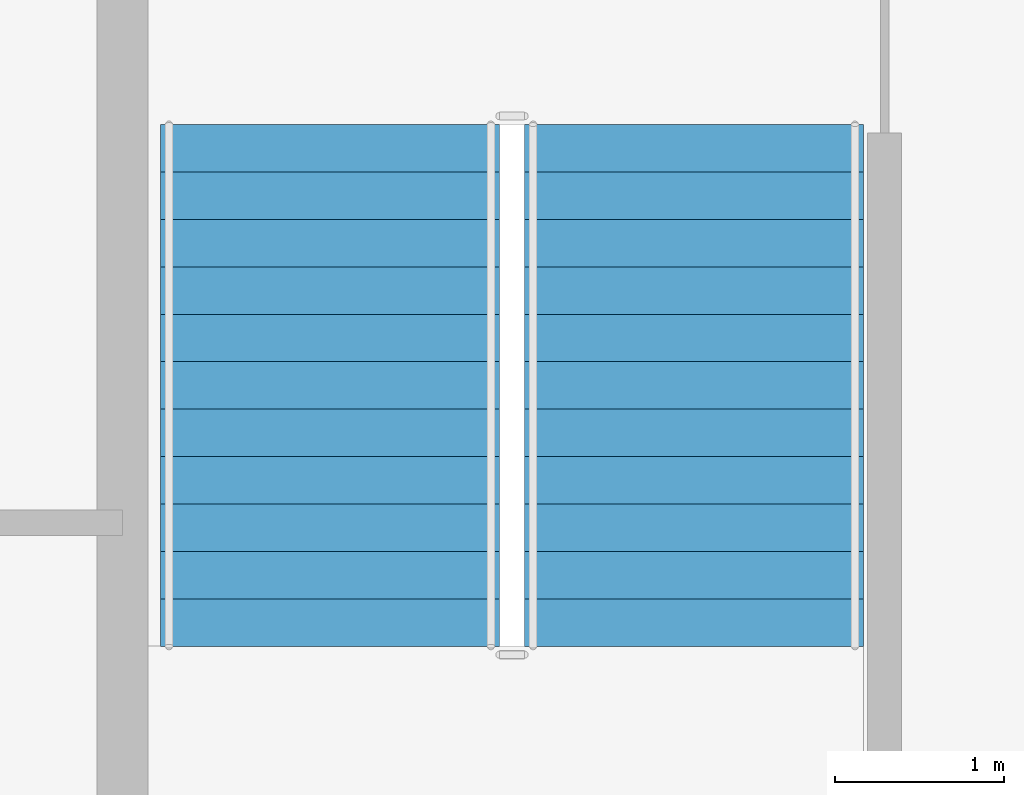
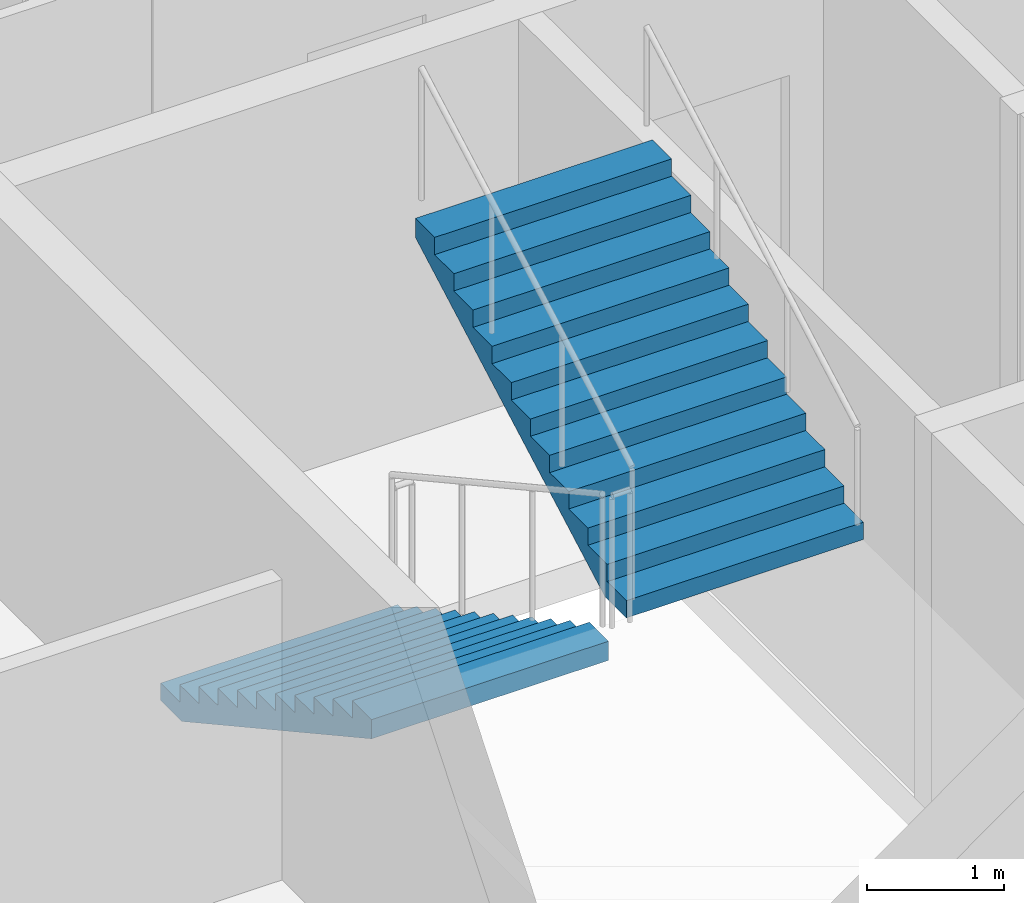
# One storey, part 10 of 13: 2 stair flights, 1 element without a shape of its own.
"""IFC4 building model written with IfcOpenShell, lengths in metres."""

from ifc_helpers import new_model, si_unit, direction, frame, origin, place, context, subcontext, project, spatial, polygons, material, type_object, element, aggregate, save


model = new_model("IFC4")

# Units and contexts
model_context = context("Model", 3, precision=1e-05, world=origin(), true_north=direction((0.0, 1.0)))
body_context = subcontext(model_context, "Body", "Model", "MODEL_VIEW")
ifc_project = project(units=[si_unit("LENGTHUNIT", "METRE"), si_unit("AREAUNIT", "SQUARE_METRE"), si_unit("VOLUMEUNIT", "CUBIC_METRE"), si_unit("PLANEANGLEUNIT", "RADIAN"), si_unit("MASSUNIT", "GRAM", prefix="KILO")], contexts=[model_context])

# Site, building, storey
site_placement = place(None, origin())
site = spatial("IfcSite", under=ifc_project, at=site_placement, CompositionType="ELEMENT")
building_placement = place(site_placement, origin())
building = spatial("IfcBuilding", under=site, at=building_placement, Name="Caravel Reach Hotel and Residences", CompositionType="ELEMENT")
storey_placement = place(building_placement, frame((0.0, 0.0, 180.199951171875)))
storey = spatial("IfcBuildingStorey", under=building, at=storey_placement, Name="L45", CompositionType="ELEMENT", Elevation=180.199951171875)

# Stair, stair flights
ifc_material_1 = material(Name="Concrete C40", Category="concrete")
stair_type = type_object("IfcStairType", Name="Core stair", PredefinedType="HALF_TURN_STAIR", material=ifc_material_1)
stair_placement = place(storey_placement, origin())
stair = element("IfcStair", 1, at=stair_placement, inside=storey, type_object=stair_type, Name="L45 Exit stair A", PredefinedType="HALF_TURN_STAIR")
ifc_material_2 = material(Name="Concrete C40", Category="concrete")
stair_flight_type = type_object("IfcStairFlightType", Name="Core stair flight", PredefinedType="STRAIGHT", material=ifc_material_2)
stair_flight_1_placement = place(storey_placement, frame((19.22509765625, 29.35009765625, 0.0), z_axis=(0.0, 0.0, 1.0), x_axis=(0.0, -1.0, 0.0)))
stair_flight_1 = element("IfcStairFlight", 2, at=stair_flight_1_placement, type_object=stair_flight_type, Name="ST-A flight 1", NumberOfRisers=12, NumberOfTreads=11, PredefinedType="STRAIGHT", RiserHeight=0.154166667, TreadLength=0.28, context=body_context, shape_type="Tessellation", body=[
    polygons([(0.3107950034306102, 1.0, 0.0), (0.3107950034306102, 0.6666666666666667, 0.0), (0.3107950034306102, 0.33333333333333337, 0.0), (0.3107950034306102, 0.0, 0.0), (0.3107950034306102, -0.33333333333333326, 0.0), (0.3107950034306102, -0.6666666666666667, 0.0), (0.3107950034306102, -1.0, 0.0), (3.081, 1.0, 1.524711087717319), (3.081, 0.6666666666666667, 1.524711087717319), (3.081, 0.33333333333333337, 1.524711087717319), (3.081, 0.0, 1.524711087717319), (3.081, -0.33333333333333326, 1.524711087717319), (3.081, -0.6666666666666667, 1.524711087717319), (3.081, -1.0, 1.524711087717319), (3.081, 1.0, 1.695833337), (3.081, 0.6666666666666667, 1.695833337), (3.081, 0.33333333333333337, 1.695833337), (3.081, 0.0, 1.695833337), (3.081, -0.33333333333333326, 1.695833337), (3.081, -0.6666666666666667, 1.695833337), (3.081, -1.0, 1.695833337), (2.8000000000000003, 1.0, 1.695833337), (2.8000000000000003, 0.6666666666666667, 1.695833337), (2.8000000000000003, 0.33333333333333337, 1.695833337), (2.8000000000000003, 0.0, 1.695833337), (2.8000000000000003, -0.33333333333333326, 1.695833337), (2.8000000000000003, -0.6666666666666667, 1.695833337), (2.8000000000000003, -1.0, 1.695833337), (2.8000000000000003, 1.0, 1.5416666700000001), (2.8000000000000003, 0.6666666666666667, 1.5416666700000001), (2.8000000000000003, 0.33333333333333337, 1.5416666700000001), (2.8000000000000003, 0.0, 1.5416666700000001), (2.8000000000000003, -0.33333333333333326, 1.5416666700000001), (2.8000000000000003, -0.6666666666666667, 1.5416666700000001), (2.8000000000000003, -1.0, 1.5416666700000001), (2.5200000000000005, 1.0, 1.5416666700000001), (2.5200000000000005, 0.6666666666666667, 1.5416666700000001), (2.5200000000000005, 0.33333333333333337, 1.5416666700000001), (2.5200000000000005, 0.0, 1.5416666700000001), (2.5200000000000005, -0.33333333333333326, 1.5416666700000001), (2.5200000000000005, -0.6666666666666667, 1.5416666700000001), (2.5200000000000005, -1.0, 1.5416666700000001), (2.5200000000000005, 1.0, 1.387500003), (2.5200000000000005, 0.6666666666666667, 1.387500003), (2.5200000000000005, 0.33333333333333337, 1.387500003), (2.5200000000000005, 0.0, 1.387500003), (2.5200000000000005, -0.33333333333333326, 1.387500003), (2.5200000000000005, -0.6666666666666667, 1.387500003), (2.5200000000000005, -1.0, 1.387500003), (2.24, 1.0, 1.387500003), (2.24, 0.6666666666666667, 1.387500003), (2.24, 0.33333333333333337, 1.387500003), (2.24, 0.0, 1.387500003), (2.24, -0.33333333333333326, 1.387500003), (2.24, -0.6666666666666667, 1.387500003), (2.24, -1.0, 1.387500003), (2.24, 1.0, 1.233333336), (2.24, 0.6666666666666667, 1.233333336), (2.24, 0.33333333333333337, 1.233333336), (2.24, 0.0, 1.233333336), (2.24, -0.33333333333333326, 1.233333336), (2.24, -0.6666666666666667, 1.233333336), (2.24, -1.0, 1.233333336), (1.9600000000000002, 1.0, 1.233333336), (1.9600000000000002, 0.6666666666666667, 1.233333336), (1.9600000000000002, 0.33333333333333337, 1.233333336), (1.9600000000000002, 0.0, 1.233333336), (1.9600000000000002, -0.33333333333333326, 1.233333336), (1.9600000000000002, -0.6666666666666667, 1.233333336), (1.9600000000000002, -1.0, 1.233333336), (1.9600000000000002, 1.0, 1.0791666690000001), (1.9600000000000002, 0.6666666666666667, 1.0791666690000001), (1.9600000000000002, 0.33333333333333337, 1.0791666690000001), (1.9600000000000002, 0.0, 1.0791666690000001), (1.9600000000000002, -0.33333333333333326, 1.0791666690000001), (1.9600000000000002, -0.6666666666666667, 1.0791666690000001), (1.9600000000000002, -1.0, 1.0791666690000001), (1.6800000000000002, 1.0, 1.0791666690000001), (1.6800000000000002, 0.6666666666666667, 1.0791666690000001), (1.6800000000000002, 0.33333333333333337, 1.0791666690000001), (1.6800000000000002, 0.0, 1.0791666690000001), (1.6800000000000002, -0.33333333333333326, 1.0791666690000001), (1.6800000000000002, -0.6666666666666667, 1.0791666690000001), (1.6800000000000002, -1.0, 1.0791666690000001), (1.6800000000000002, 1.0, 0.925000002), (1.6800000000000002, 0.6666666666666667, 0.925000002), (1.6800000000000002, 0.33333333333333337, 0.925000002), (1.6800000000000002, 0.0, 0.925000002), (1.6800000000000002, -0.33333333333333326, 0.925000002), (1.6800000000000002, -0.6666666666666667, 0.925000002), (1.6800000000000002, -1.0, 0.925000002), (1.4000000000000001, 1.0, 0.925000002), (1.4000000000000001, 0.6666666666666667, 0.925000002), (1.4000000000000001, 0.33333333333333337, 0.925000002), (1.4000000000000001, 0.0, 0.925000002), (1.4000000000000001, -0.33333333333333326, 0.925000002), (1.4000000000000001, -0.6666666666666667, 0.925000002), (1.4000000000000001, -1.0, 0.925000002), (1.4000000000000001, 1.0, 0.7708333350000001), (1.4000000000000001, 0.6666666666666667, 0.7708333350000001), (1.4000000000000001, 0.33333333333333337, 0.7708333350000001), (1.4000000000000001, 0.0, 0.7708333350000001), (1.4000000000000001, -0.33333333333333326, 0.7708333350000001), (1.4000000000000001, -0.6666666666666667, 0.7708333350000001), (1.4000000000000001, -1.0, 0.7708333350000001), (1.12, 1.0, 0.7708333350000001), (1.12, 0.6666666666666667, 0.7708333350000001), (1.12, 0.33333333333333337, 0.7708333350000001), (1.12, 0.0, 0.7708333350000001), (1.12, -0.33333333333333326, 0.7708333350000001), (1.12, -0.6666666666666667, 0.7708333350000001), (1.12, -1.0, 0.7708333350000001), (1.12, 1.0, 0.616666668), (1.12, 0.6666666666666667, 0.616666668), (1.12, 0.33333333333333337, 0.616666668), (1.12, 0.0, 0.616666668), (1.12, -0.33333333333333326, 0.616666668), (1.12, -0.6666666666666667, 0.616666668), (1.12, -1.0, 0.616666668), (0.8400000000000001, 1.0, 0.616666668), (0.8400000000000001, 0.6666666666666667, 0.616666668), (0.8400000000000001, 0.33333333333333337, 0.616666668), (0.8400000000000001, 0.0, 0.616666668), (0.8400000000000001, -0.33333333333333326, 0.616666668), (0.8400000000000001, -0.6666666666666667, 0.616666668), (0.8400000000000001, -1.0, 0.616666668), (0.8400000000000001, 1.0, 0.462500001), (0.8400000000000001, 0.6666666666666667, 0.462500001), (0.8400000000000001, 0.33333333333333337, 0.462500001), (0.8400000000000001, 0.0, 0.462500001), (0.8400000000000001, -0.33333333333333326, 0.462500001), (0.8400000000000001, -0.6666666666666667, 0.462500001), (0.8400000000000001, -1.0, 0.462500001), (0.56, 1.0, 0.462500001), (0.56, 0.6666666666666667, 0.462500001), (0.56, 0.33333333333333337, 0.462500001), (0.56, 0.0, 0.462500001), (0.56, -0.33333333333333326, 0.462500001), (0.56, -0.6666666666666667, 0.462500001), (0.56, -1.0, 0.462500001), (0.56, 1.0, 0.308333334), (0.56, 0.6666666666666667, 0.308333334), (0.56, 0.33333333333333337, 0.308333334), (0.56, 0.0, 0.308333334), (0.56, -0.33333333333333326, 0.308333334), (0.56, -0.6666666666666667, 0.308333334), (0.56, -1.0, 0.308333334), (0.28, 1.0, 0.308333334), (0.28, 0.6666666666666667, 0.308333334), (0.28, 0.33333333333333337, 0.308333334), (0.28, 0.0, 0.308333334), (0.28, -0.33333333333333326, 0.308333334), (0.28, -0.6666666666666667, 0.308333334), (0.28, -1.0, 0.308333334), (0.28, 1.0, 0.154166667), (0.28, 0.6666666666666667, 0.154166667), (0.28, 0.33333333333333337, 0.154166667), (0.28, 0.0, 0.154166667), (0.28, -0.33333333333333326, 0.154166667), (0.28, -0.6666666666666667, 0.154166667), (0.28, -1.0, 0.154166667), (-0.001, 1.0, 0.154166667), (-0.001, 0.6666666666666667, 0.154166667), (-0.001, 0.33333333333333337, 0.154166667), (-0.001, 0.0, 0.154166667), (-0.001, -0.33333333333333326, 0.154166667), (-0.001, -0.6666666666666667, 0.154166667), (-0.001, -1.0, 0.154166667), (-0.001, 1.0, 0.0), (-0.001, 0.6666666666666667, 0.0), (-0.001, 0.33333333333333337, 0.0), (-0.001, 0.0, 0.0), (-0.001, -0.33333333333333326, 0.0), (-0.001, -0.6666666666666667, 0.0), (-0.001, -1.0, 0.0)], [[[169, 162, 155, 148, 141, 134, 127, 120, 113, 106, 99, 92, 85, 78, 71, 64, 57, 50, 43, 36, 29, 22, 15, 8, 1]], [[7, 14, 21, 28, 35, 42, 49, 56, 63, 70, 77, 84, 91, 98, 105, 112, 119, 126, 133, 140, 147, 154, 161, 168, 175]], [[1, 8, 9, 2]], [[2, 9, 10, 3]], [[3, 10, 11, 4]], [[4, 11, 12, 5]], [[5, 12, 13, 6]], [[6, 13, 14, 7]], [[8, 15, 16, 9]], [[9, 16, 17, 10]], [[10, 17, 18, 11]], [[11, 18, 19, 12]], [[12, 19, 20, 13]], [[13, 20, 21, 14]], [[15, 22, 23, 16]], [[16, 23, 24, 17]], [[17, 24, 25, 18]], [[18, 25, 26, 19]], [[19, 26, 27, 20]], [[20, 27, 28, 21]], [[22, 29, 30, 23]], [[23, 30, 31, 24]], [[24, 31, 32, 25]], [[25, 32, 33, 26]], [[26, 33, 34, 27]], [[27, 34, 35, 28]], [[29, 36, 37, 30]], [[30, 37, 38, 31]], [[31, 38, 39, 32]], [[32, 39, 40, 33]], [[33, 40, 41, 34]], [[34, 41, 42, 35]], [[36, 43, 44, 37]], [[37, 44, 45, 38]], [[38, 45, 46, 39]], [[39, 46, 47, 40]], [[40, 47, 48, 41]], [[41, 48, 49, 42]], [[43, 50, 51, 44]], [[44, 51, 52, 45]], [[45, 52, 53, 46]], [[46, 53, 54, 47]], [[47, 54, 55, 48]], [[48, 55, 56, 49]], [[50, 57, 58, 51]], [[51, 58, 59, 52]], [[52, 59, 60, 53]], [[53, 60, 61, 54]], [[54, 61, 62, 55]], [[55, 62, 63, 56]], [[57, 64, 65, 58]], [[58, 65, 66, 59]], [[59, 66, 67, 60]], [[60, 67, 68, 61]], [[61, 68, 69, 62]], [[62, 69, 70, 63]], [[64, 71, 72, 65]], [[65, 72, 73, 66]], [[66, 73, 74, 67]], [[67, 74, 75, 68]], [[68, 75, 76, 69]], [[69, 76, 77, 70]], [[71, 78, 79, 72]], [[72, 79, 80, 73]], [[73, 80, 81, 74]], [[74, 81, 82, 75]], [[75, 82, 83, 76]], [[76, 83, 84, 77]], [[78, 85, 86, 79]], [[79, 86, 87, 80]], [[80, 87, 88, 81]], [[81, 88, 89, 82]], [[82, 89, 90, 83]], [[83, 90, 91, 84]], [[85, 92, 93, 86]], [[86, 93, 94, 87]], [[87, 94, 95, 88]], [[88, 95, 96, 89]], [[89, 96, 97, 90]], [[90, 97, 98, 91]], [[92, 99, 100, 93]], [[93, 100, 101, 94]], [[94, 101, 102, 95]], [[95, 102, 103, 96]], [[96, 103, 104, 97]], [[97, 104, 105, 98]], [[99, 106, 107, 100]], [[100, 107, 108, 101]], [[101, 108, 109, 102]], [[102, 109, 110, 103]], [[103, 110, 111, 104]], [[104, 111, 112, 105]], [[106, 113, 114, 107]], [[107, 114, 115, 108]], [[108, 115, 116, 109]], [[109, 116, 117, 110]], [[110, 117, 118, 111]], [[111, 118, 119, 112]], [[113, 120, 121, 114]], [[114, 121, 122, 115]], [[115, 122, 123, 116]], [[116, 123, 124, 117]], [[117, 124, 125, 118]], [[118, 125, 126, 119]], [[120, 127, 128, 121]], [[121, 128, 129, 122]], [[122, 129, 130, 123]], [[123, 130, 131, 124]], [[124, 131, 132, 125]], [[125, 132, 133, 126]], [[127, 134, 135, 128]], [[128, 135, 136, 129]], [[129, 136, 137, 130]], [[130, 137, 138, 131]], [[131, 138, 139, 132]], [[132, 139, 140, 133]], [[134, 141, 142, 135]], [[135, 142, 143, 136]], [[136, 143, 144, 137]], [[137, 144, 145, 138]], [[138, 145, 146, 139]], [[139, 146, 147, 140]], [[141, 148, 149, 142]], [[142, 149, 150, 143]], [[143, 150, 151, 144]], [[144, 151, 152, 145]], [[145, 152, 153, 146]], [[146, 153, 154, 147]], [[148, 155, 156, 149]], [[149, 156, 157, 150]], [[150, 157, 158, 151]], [[151, 158, 159, 152]], [[152, 159, 160, 153]], [[153, 160, 161, 154]], [[155, 162, 163, 156]], [[156, 163, 164, 157]], [[157, 164, 165, 158]], [[158, 165, 166, 159]], [[159, 166, 167, 160]], [[160, 167, 168, 161]], [[162, 169, 170, 163]], [[163, 170, 171, 164]], [[164, 171, 172, 165]], [[165, 172, 173, 166]], [[166, 173, 174, 167]], [[167, 174, 175, 168]], [[169, 1, 2, 170]], [[170, 2, 3, 171]], [[171, 3, 4, 172]], [[172, 4, 5, 173]], [[173, 5, 6, 174]], [[174, 6, 7, 175]]], closed=True),
])
stair_flight_2_placement = place(storey_placement, frame((21.375, 26.27001953125, 1.85009765625), z_axis=(0.0, 0.0, 1.0), x_axis=(0.0, 1.0, 0.0)))
stair_flight_2 = element("IfcStairFlight", 3, at=stair_flight_2_placement, type_object=stair_flight_type, Name="ST-A flight 2", NumberOfRisers=12, NumberOfTreads=11, PredefinedType="STRAIGHT", RiserHeight=0.154166667, TreadLength=0.28, context=body_context, shape_type="Tessellation", body=[
    polygons([(0.3107950034306102, 1.0, 0.0), (0.3107950034306102, 0.6666666666666667, 0.0), (0.3107950034306102, 0.33333333333333337, 0.0), (0.3107950034306102, 0.0, 0.0), (0.3107950034306102, -0.33333333333333326, 0.0), (0.3107950034306102, -0.6666666666666667, 0.0), (0.3107950034306102, -1.0, 0.0), (3.081, 1.0, 1.524711087717319), (3.081, 0.6666666666666667, 1.524711087717319), (3.081, 0.33333333333333337, 1.524711087717319), (3.081, 0.0, 1.524711087717319), (3.081, -0.33333333333333326, 1.524711087717319), (3.081, -0.6666666666666667, 1.524711087717319), (3.081, -1.0, 1.524711087717319), (3.081, 1.0, 1.695833337), (3.081, 0.6666666666666667, 1.695833337), (3.081, 0.33333333333333337, 1.695833337), (3.081, 0.0, 1.695833337), (3.081, -0.33333333333333326, 1.695833337), (3.081, -0.6666666666666667, 1.695833337), (3.081, -1.0, 1.695833337), (2.8000000000000003, 1.0, 1.695833337), (2.8000000000000003, 0.6666666666666667, 1.695833337), (2.8000000000000003, 0.33333333333333337, 1.695833337), (2.8000000000000003, 0.0, 1.695833337), (2.8000000000000003, -0.33333333333333326, 1.695833337), (2.8000000000000003, -0.6666666666666667, 1.695833337), (2.8000000000000003, -1.0, 1.695833337), (2.8000000000000003, 1.0, 1.5416666700000001), (2.8000000000000003, 0.6666666666666667, 1.5416666700000001), (2.8000000000000003, 0.33333333333333337, 1.5416666700000001), (2.8000000000000003, 0.0, 1.5416666700000001), (2.8000000000000003, -0.33333333333333326, 1.5416666700000001), (2.8000000000000003, -0.6666666666666667, 1.5416666700000001), (2.8000000000000003, -1.0, 1.5416666700000001), (2.5200000000000005, 1.0, 1.5416666700000001), (2.5200000000000005, 0.6666666666666667, 1.5416666700000001), (2.5200000000000005, 0.33333333333333337, 1.5416666700000001), (2.5200000000000005, 0.0, 1.5416666700000001), (2.5200000000000005, -0.33333333333333326, 1.5416666700000001), (2.5200000000000005, -0.6666666666666667, 1.5416666700000001), (2.5200000000000005, -1.0, 1.5416666700000001), (2.5200000000000005, 1.0, 1.387500003), (2.5200000000000005, 0.6666666666666667, 1.387500003), (2.5200000000000005, 0.33333333333333337, 1.387500003), (2.5200000000000005, 0.0, 1.387500003), (2.5200000000000005, -0.33333333333333326, 1.387500003), (2.5200000000000005, -0.6666666666666667, 1.387500003), (2.5200000000000005, -1.0, 1.387500003), (2.24, 1.0, 1.387500003), (2.24, 0.6666666666666667, 1.387500003), (2.24, 0.33333333333333337, 1.387500003), (2.24, 0.0, 1.387500003), (2.24, -0.33333333333333326, 1.387500003), (2.24, -0.6666666666666667, 1.387500003), (2.24, -1.0, 1.387500003), (2.24, 1.0, 1.233333336), (2.24, 0.6666666666666667, 1.233333336), (2.24, 0.33333333333333337, 1.233333336), (2.24, 0.0, 1.233333336), (2.24, -0.33333333333333326, 1.233333336), (2.24, -0.6666666666666667, 1.233333336), (2.24, -1.0, 1.233333336), (1.9600000000000002, 1.0, 1.233333336), (1.9600000000000002, 0.6666666666666667, 1.233333336), (1.9600000000000002, 0.33333333333333337, 1.233333336), (1.9600000000000002, 0.0, 1.233333336), (1.9600000000000002, -0.33333333333333326, 1.233333336), (1.9600000000000002, -0.6666666666666667, 1.233333336), (1.9600000000000002, -1.0, 1.233333336), (1.9600000000000002, 1.0, 1.0791666690000001), (1.9600000000000002, 0.6666666666666667, 1.0791666690000001), (1.9600000000000002, 0.33333333333333337, 1.0791666690000001), (1.9600000000000002, 0.0, 1.0791666690000001), (1.9600000000000002, -0.33333333333333326, 1.0791666690000001), (1.9600000000000002, -0.6666666666666667, 1.0791666690000001), (1.9600000000000002, -1.0, 1.0791666690000001), (1.6800000000000002, 1.0, 1.0791666690000001), (1.6800000000000002, 0.6666666666666667, 1.0791666690000001), (1.6800000000000002, 0.33333333333333337, 1.0791666690000001), (1.6800000000000002, 0.0, 1.0791666690000001), (1.6800000000000002, -0.33333333333333326, 1.0791666690000001), (1.6800000000000002, -0.6666666666666667, 1.0791666690000001), (1.6800000000000002, -1.0, 1.0791666690000001), (1.6800000000000002, 1.0, 0.925000002), (1.6800000000000002, 0.6666666666666667, 0.925000002), (1.6800000000000002, 0.33333333333333337, 0.925000002), (1.6800000000000002, 0.0, 0.925000002), (1.6800000000000002, -0.33333333333333326, 0.925000002), (1.6800000000000002, -0.6666666666666667, 0.925000002), (1.6800000000000002, -1.0, 0.925000002), (1.4000000000000001, 1.0, 0.925000002), (1.4000000000000001, 0.6666666666666667, 0.925000002), (1.4000000000000001, 0.33333333333333337, 0.925000002), (1.4000000000000001, 0.0, 0.925000002), (1.4000000000000001, -0.33333333333333326, 0.925000002), (1.4000000000000001, -0.6666666666666667, 0.925000002), (1.4000000000000001, -1.0, 0.925000002), (1.4000000000000001, 1.0, 0.7708333350000001), (1.4000000000000001, 0.6666666666666667, 0.7708333350000001), (1.4000000000000001, 0.33333333333333337, 0.7708333350000001), (1.4000000000000001, 0.0, 0.7708333350000001), (1.4000000000000001, -0.33333333333333326, 0.7708333350000001), (1.4000000000000001, -0.6666666666666667, 0.7708333350000001), (1.4000000000000001, -1.0, 0.7708333350000001), (1.12, 1.0, 0.7708333350000001), (1.12, 0.6666666666666667, 0.7708333350000001), (1.12, 0.33333333333333337, 0.7708333350000001), (1.12, 0.0, 0.7708333350000001), (1.12, -0.33333333333333326, 0.7708333350000001), (1.12, -0.6666666666666667, 0.7708333350000001), (1.12, -1.0, 0.7708333350000001), (1.12, 1.0, 0.616666668), (1.12, 0.6666666666666667, 0.616666668), (1.12, 0.33333333333333337, 0.616666668), (1.12, 0.0, 0.616666668), (1.12, -0.33333333333333326, 0.616666668), (1.12, -0.6666666666666667, 0.616666668), (1.12, -1.0, 0.616666668), (0.8400000000000001, 1.0, 0.616666668), (0.8400000000000001, 0.6666666666666667, 0.616666668), (0.8400000000000001, 0.33333333333333337, 0.616666668), (0.8400000000000001, 0.0, 0.616666668), (0.8400000000000001, -0.33333333333333326, 0.616666668), (0.8400000000000001, -0.6666666666666667, 0.616666668), (0.8400000000000001, -1.0, 0.616666668), (0.8400000000000001, 1.0, 0.462500001), (0.8400000000000001, 0.6666666666666667, 0.462500001), (0.8400000000000001, 0.33333333333333337, 0.462500001), (0.8400000000000001, 0.0, 0.462500001), (0.8400000000000001, -0.33333333333333326, 0.462500001), (0.8400000000000001, -0.6666666666666667, 0.462500001), (0.8400000000000001, -1.0, 0.462500001), (0.56, 1.0, 0.462500001), (0.56, 0.6666666666666667, 0.462500001), (0.56, 0.33333333333333337, 0.462500001), (0.56, 0.0, 0.462500001), (0.56, -0.33333333333333326, 0.462500001), (0.56, -0.6666666666666667, 0.462500001), (0.56, -1.0, 0.462500001), (0.56, 1.0, 0.308333334), (0.56, 0.6666666666666667, 0.308333334), (0.56, 0.33333333333333337, 0.308333334), (0.56, 0.0, 0.308333334), (0.56, -0.33333333333333326, 0.308333334), (0.56, -0.6666666666666667, 0.308333334), (0.56, -1.0, 0.308333334), (0.28, 1.0, 0.308333334), (0.28, 0.6666666666666667, 0.308333334), (0.28, 0.33333333333333337, 0.308333334), (0.28, 0.0, 0.308333334), (0.28, -0.33333333333333326, 0.308333334), (0.28, -0.6666666666666667, 0.308333334), (0.28, -1.0, 0.308333334), (0.28, 1.0, 0.154166667), (0.28, 0.6666666666666667, 0.154166667), (0.28, 0.33333333333333337, 0.154166667), (0.28, 0.0, 0.154166667), (0.28, -0.33333333333333326, 0.154166667), (0.28, -0.6666666666666667, 0.154166667), (0.28, -1.0, 0.154166667), (-0.001, 1.0, 0.154166667), (-0.001, 0.6666666666666667, 0.154166667), (-0.001, 0.33333333333333337, 0.154166667), (-0.001, 0.0, 0.154166667), (-0.001, -0.33333333333333326, 0.154166667), (-0.001, -0.6666666666666667, 0.154166667), (-0.001, -1.0, 0.154166667), (-0.001, 1.0, 0.0), (-0.001, 0.6666666666666667, 0.0), (-0.001, 0.33333333333333337, 0.0), (-0.001, 0.0, 0.0), (-0.001, -0.33333333333333326, 0.0), (-0.001, -0.6666666666666667, 0.0), (-0.001, -1.0, 0.0)], [[[169, 162, 155, 148, 141, 134, 127, 120, 113, 106, 99, 92, 85, 78, 71, 64, 57, 50, 43, 36, 29, 22, 15, 8, 1]], [[7, 14, 21, 28, 35, 42, 49, 56, 63, 70, 77, 84, 91, 98, 105, 112, 119, 126, 133, 140, 147, 154, 161, 168, 175]], [[1, 8, 9, 2]], [[2, 9, 10, 3]], [[3, 10, 11, 4]], [[4, 11, 12, 5]], [[5, 12, 13, 6]], [[6, 13, 14, 7]], [[8, 15, 16, 9]], [[9, 16, 17, 10]], [[10, 17, 18, 11]], [[11, 18, 19, 12]], [[12, 19, 20, 13]], [[13, 20, 21, 14]], [[15, 22, 23, 16]], [[16, 23, 24, 17]], [[17, 24, 25, 18]], [[18, 25, 26, 19]], [[19, 26, 27, 20]], [[20, 27, 28, 21]], [[22, 29, 30, 23]], [[23, 30, 31, 24]], [[24, 31, 32, 25]], [[25, 32, 33, 26]], [[26, 33, 34, 27]], [[27, 34, 35, 28]], [[29, 36, 37, 30]], [[30, 37, 38, 31]], [[31, 38, 39, 32]], [[32, 39, 40, 33]], [[33, 40, 41, 34]], [[34, 41, 42, 35]], [[36, 43, 44, 37]], [[37, 44, 45, 38]], [[38, 45, 46, 39]], [[39, 46, 47, 40]], [[40, 47, 48, 41]], [[41, 48, 49, 42]], [[43, 50, 51, 44]], [[44, 51, 52, 45]], [[45, 52, 53, 46]], [[46, 53, 54, 47]], [[47, 54, 55, 48]], [[48, 55, 56, 49]], [[50, 57, 58, 51]], [[51, 58, 59, 52]], [[52, 59, 60, 53]], [[53, 60, 61, 54]], [[54, 61, 62, 55]], [[55, 62, 63, 56]], [[57, 64, 65, 58]], [[58, 65, 66, 59]], [[59, 66, 67, 60]], [[60, 67, 68, 61]], [[61, 68, 69, 62]], [[62, 69, 70, 63]], [[64, 71, 72, 65]], [[65, 72, 73, 66]], [[66, 73, 74, 67]], [[67, 74, 75, 68]], [[68, 75, 76, 69]], [[69, 76, 77, 70]], [[71, 78, 79, 72]], [[72, 79, 80, 73]], [[73, 80, 81, 74]], [[74, 81, 82, 75]], [[75, 82, 83, 76]], [[76, 83, 84, 77]], [[78, 85, 86, 79]], [[79, 86, 87, 80]], [[80, 87, 88, 81]], [[81, 88, 89, 82]], [[82, 89, 90, 83]], [[83, 90, 91, 84]], [[85, 92, 93, 86]], [[86, 93, 94, 87]], [[87, 94, 95, 88]], [[88, 95, 96, 89]], [[89, 96, 97, 90]], [[90, 97, 98, 91]], [[92, 99, 100, 93]], [[93, 100, 101, 94]], [[94, 101, 102, 95]], [[95, 102, 103, 96]], [[96, 103, 104, 97]], [[97, 104, 105, 98]], [[99, 106, 107, 100]], [[100, 107, 108, 101]], [[101, 108, 109, 102]], [[102, 109, 110, 103]], [[103, 110, 111, 104]], [[104, 111, 112, 105]], [[106, 113, 114, 107]], [[107, 114, 115, 108]], [[108, 115, 116, 109]], [[109, 116, 117, 110]], [[110, 117, 118, 111]], [[111, 118, 119, 112]], [[113, 120, 121, 114]], [[114, 121, 122, 115]], [[115, 122, 123, 116]], [[116, 123, 124, 117]], [[117, 124, 125, 118]], [[118, 125, 126, 119]], [[120, 127, 128, 121]], [[121, 128, 129, 122]], [[122, 129, 130, 123]], [[123, 130, 131, 124]], [[124, 131, 132, 125]], [[125, 132, 133, 126]], [[127, 134, 135, 128]], [[128, 135, 136, 129]], [[129, 136, 137, 130]], [[130, 137, 138, 131]], [[131, 138, 139, 132]], [[132, 139, 140, 133]], [[134, 141, 142, 135]], [[135, 142, 143, 136]], [[136, 143, 144, 137]], [[137, 144, 145, 138]], [[138, 145, 146, 139]], [[139, 146, 147, 140]], [[141, 148, 149, 142]], [[142, 149, 150, 143]], [[143, 150, 151, 144]], [[144, 151, 152, 145]], [[145, 152, 153, 146]], [[146, 153, 154, 147]], [[148, 155, 156, 149]], [[149, 156, 157, 150]], [[150, 157, 158, 151]], [[151, 158, 159, 152]], [[152, 159, 160, 153]], [[153, 160, 161, 154]], [[155, 162, 163, 156]], [[156, 163, 164, 157]], [[157, 164, 165, 158]], [[158, 165, 166, 159]], [[159, 166, 167, 160]], [[160, 167, 168, 161]], [[162, 169, 170, 163]], [[163, 170, 171, 164]], [[164, 171, 172, 165]], [[165, 172, 173, 166]], [[166, 173, 174, 167]], [[167, 174, 175, 168]], [[169, 1, 2, 170]], [[170, 2, 3, 171]], [[171, 3, 4, 172]], [[172, 4, 5, 173]], [[173, 5, 6, 174]], [[174, 6, 7, 175]]], closed=True),
])
aggregate(stair, [stair_flight_1, stair_flight_2])

save(model, "model.ifc")
